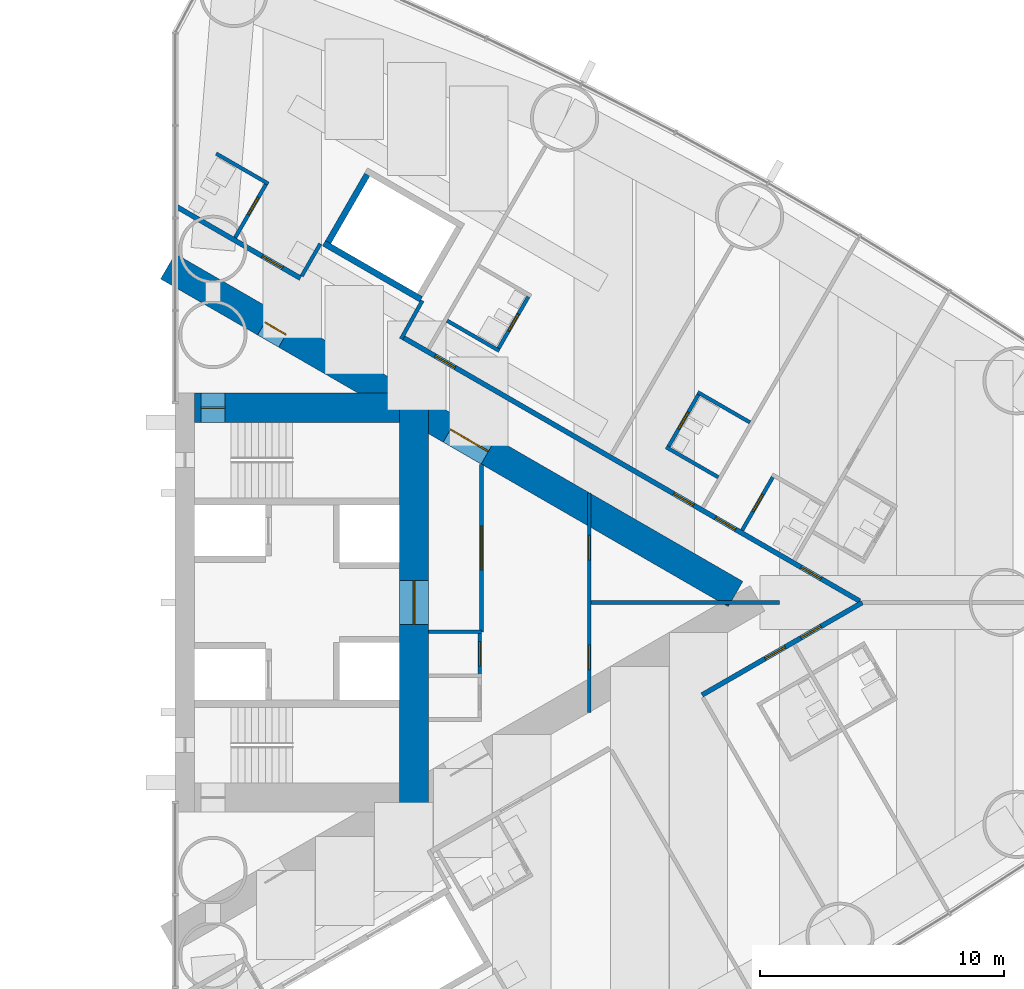
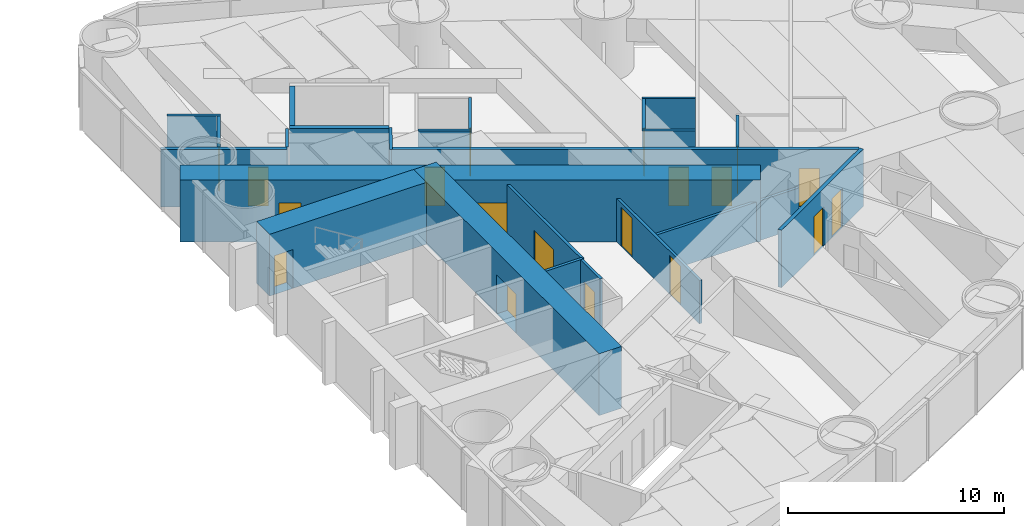
# One storey, part 15 of 19: 23 walls, 19 doors, 19 openings.
"""IFC4 building model written with IfcOpenShell, lengths in metres."""

from ifc_helpers import new_model, si_unit, direction, frame, frame_2d, origin, place, context, subcontext, project, spatial, rectangle, extrude, material, layer, layer_set, type_object, element, fill, save


model = new_model("IFC4")

# Units and contexts
model_context = context("Model", 3, precision=1e-05, world=origin(), true_north=direction((0.0, 1.0)))
body_context = subcontext(model_context, "Body", "Model", "MODEL_VIEW")
ifc_project = project(units=[si_unit("LENGTHUNIT", "METRE"), si_unit("AREAUNIT", "SQUARE_METRE"), si_unit("VOLUMEUNIT", "CUBIC_METRE"), si_unit("PLANEANGLEUNIT", "RADIAN"), si_unit("MASSUNIT", "GRAM", prefix="KILO")], contexts=[model_context])

# Site, building, storey
site_placement = place(None, origin())
site = spatial("IfcSite", under=ifc_project, at=site_placement, CompositionType="ELEMENT")
building_placement = place(site_placement, origin())
building = spatial("IfcBuilding", under=site, at=building_placement, Name="Lancet Gate Hotel", CompositionType="ELEMENT")
storey_placement = place(building_placement, frame((0.0, 0.0, 25.0)))
storey = spatial("IfcBuildingStorey", under=building, at=storey_placement, Name="L05", CompositionType="ELEMENT", Elevation=25.0)

# Wall, opening, door
ifc_material_1 = material(Name="Moisture resistant board partition")
ifc_layer_1 = layer(ifc_material_1, 0.14990234375)
ifc_layer_set_1 = layer_set([ifc_layer_1], Name="Bathroom wall 150")
wall_type_1 = type_object("IfcWallType", Name="Bathroom wall 150", PredefinedType="PARTITIONING", material=ifc_layer_set_1)
wall_1_placement = place(storey_placement, frame((50.771240234375, 2.96240234375, 0.0), z_axis=(0.0, 0.0, 1.0), x_axis=(0.500006934395, 0.866021400173, 0.0)))
wall_1 = element("IfcWall", 1, at=wall_1_placement, inside=storey, type_object=wall_type_1, Name="T2 bathroom wall 150 L05", PredefinedType="PARTITIONING", context=body_context, shape_type="SweptSolid", body=[
    extrude(rectangle(XDim=2.60009765625, YDim=0.14990234375, at=frame_2d((1.300048828125, 0.0))), origin(), (0.0, 0.0, 1.0), 3.25),
])
opening_1_placement = place(wall_1_placement, frame((0.89990234375, 0.0, 0.0)))
opening_1 = element("IfcOpeningElement", 2, at=opening_1_placement, cuts=wall_1, Name="Opening 0559-B", PredefinedType="OPENING", context=body_context, shape_type="SweptSolid", body=[
    extrude(rectangle(XDim=0.800048828125, YDim=2.199951171875, at=frame_2d((0.39990234375, 1.10009765625))), frame((0.0, 0.0849609375, 0.0), z_axis=(0.0, -1.0, 0.0), x_axis=(1.0, 0.0, 0.0)), (0.0, 0.0, 1.0), 0.169921875),
])
ifc_material_2 = material(Name="Timber door set", Category="wood")
door_type_1 = type_object("IfcDoorType", Name="Bathroom door 800", OperationType="SINGLE_SWING_RIGHT", PredefinedType="DOOR", material=ifc_material_2)
door_1_placement = place(opening_1_placement, origin())
door_1 = element("IfcDoor", 3, at=door_1_placement, inside=storey, type_object=door_type_1, Name="0559-B", OperationType="SINGLE_SWING_RIGHT", OverallHeight=2.199951171875, OverallWidth=0.800048828125, PredefinedType="DOOR", context=body_context, shape_type="SweptSolid", body=[
    extrude(rectangle(XDim=0.800048828125, YDim=2.199951171875, at=frame_2d((0.39990234375, 1.10009765625))), frame((0.0, 0.02490234375, 0.0), z_axis=(0.0, -1.0, 0.0), x_axis=(1.0, 0.0, 0.0)), (0.0, 0.0, 1.0), 0.050048828125),
])
fill(opening_1, door_1)

# Wall
wall_2_placement = place(storey_placement, frame((48.951171875, 8.632080078125, 0.0), z_axis=(0.0, 0.0, 1.0), x_axis=(0.866006523861, -0.500032699561, 0.0)))
element("IfcWall", 4, at=wall_2_placement, inside=storey, type_object=wall_type_1, Name="T2 bathroom wall 150 L05", PredefinedType="PARTITIONING", context=body_context, shape_type="SweptSolid", body=[
    extrude(rectangle(XDim=2.474853515625, YDim=0.14990234375, at=frame_2d((1.2373046875, 0.0))), origin(), (0.0, 0.0, 1.0), 3.25),
])

# Wall, opening, door
wall_3_placement = place(storey_placement, frame((47.716064453125, 6.3427734375, 0.0), z_axis=(0.0, 0.0, 1.0), x_axis=(0.500006934395, 0.866021400173, 0.0)))
wall_3 = element("IfcWall", 5, at=wall_3_placement, inside=storey, type_object=wall_type_1, Name="T2 bathroom wall 150 L05", PredefinedType="PARTITIONING", context=body_context, shape_type="SweptSolid", body=[
    extrude(rectangle(XDim=2.60009765625, YDim=0.14990234375, at=frame_2d((1.300048828125, 0.0))), origin(), (0.0, 0.0, 1.0), 3.25),
])
opening_2_placement = place(wall_3_placement, frame((0.89990234375, 0.0, 0.0)))
opening_2 = element("IfcOpeningElement", 6, at=opening_2_placement, cuts=wall_3, Name="Opening 0560-B", PredefinedType="OPENING", context=body_context, shape_type="SweptSolid", body=[
    extrude(rectangle(XDim=0.800048828125, YDim=2.199951171875, at=frame_2d((0.39990234375, 1.10009765625))), frame((0.0, 0.0849609375, 0.0), z_axis=(0.0, -1.0, 0.0), x_axis=(1.0, 0.0, 0.0)), (0.0, 0.0, 1.0), 0.169921875),
])
door_2_placement = place(opening_2_placement, origin())
door_2 = element("IfcDoor", 7, at=door_2_placement, inside=storey, type_object=door_type_1, Name="0560-B", OperationType="SINGLE_SWING_RIGHT", OverallHeight=2.199951171875, OverallWidth=0.800048828125, PredefinedType="DOOR", context=body_context, shape_type="SweptSolid", body=[
    extrude(rectangle(XDim=0.800048828125, YDim=2.199951171875, at=frame_2d((0.39990234375, 1.10009765625))), frame((0.0, 0.02490234375, 0.0), z_axis=(0.0, -1.0, 0.0), x_axis=(1.0, 0.0, 0.0)), (0.0, 0.0, 1.0), 0.050048828125),
])
fill(opening_2, door_2)

# Wall
wall_4_placement = place(storey_placement, frame((47.651123046875, 6.38037109375, 0.0), z_axis=(0.0, 0.0, 1.0), x_axis=(0.866031185235, -0.4999899861, 0.0)))
element("IfcWall", 8, at=wall_4_placement, inside=storey, type_object=wall_type_1, Name="T2 bathroom wall 150 L05", PredefinedType="PARTITIONING", context=body_context, shape_type="SweptSolid", body=[
    extrude(rectangle(XDim=2.47509765625, YDim=0.14990234375, at=frame_2d((1.237548828125, 0.0))), origin(), (0.0, 0.0, 1.0), 3.25),
])

# Wall, opening, door
wall_5_placement = place(storey_placement, frame((40.738525390625, 10.371337890625, 0.0), z_axis=(0.0, 0.0, 1.0), x_axis=(0.500006934395, 0.866021400173, 0.0)))
wall_5 = element("IfcWall", 9, at=wall_5_placement, inside=storey, type_object=wall_type_1, Name="T2 bathroom wall 150 L05", PredefinedType="PARTITIONING", context=body_context, shape_type="SweptSolid", body=[
    extrude(rectangle(XDim=2.60009765625, YDim=0.14990234375, at=frame_2d((1.300048828125, 0.0))), origin(), (0.0, 0.0, 1.0), 3.25),
])
opening_3_placement = place(wall_5_placement, frame((0.89990234375, 0.0, 0.0)))
opening_3 = element("IfcOpeningElement", 10, at=opening_3_placement, cuts=wall_5, Name="Opening 0561-B", PredefinedType="OPENING", context=body_context, shape_type="SweptSolid", body=[
    extrude(rectangle(XDim=0.800048828125, YDim=2.199951171875, at=frame_2d((0.39990234375, 1.10009765625))), frame((0.0, 0.0849609375, 0.0), z_axis=(0.0, -1.0, 0.0), x_axis=(1.0, 0.0, 0.0)), (0.0, 0.0, 1.0), 0.169921875),
])
door_3_placement = place(opening_3_placement, origin())
door_3 = element("IfcDoor", 11, at=door_3_placement, inside=storey, type_object=door_type_1, Name="0561-B", OperationType="SINGLE_SWING_RIGHT", OverallHeight=2.199951171875, OverallWidth=0.800048828125, PredefinedType="DOOR", context=body_context, shape_type="SweptSolid", body=[
    extrude(rectangle(XDim=0.800048828125, YDim=2.199951171875, at=frame_2d((0.39990234375, 1.10009765625))), frame((0.0, 0.02490234375, 0.0), z_axis=(0.0, -1.0, 0.0), x_axis=(1.0, 0.0, 0.0)), (0.0, 0.0, 1.0), 0.050048828125),
])
fill(opening_3, door_3)

# Walls
for number, where, z_axis, x_axis, name in (
    (12, (38.66015625, 11.5712890625, 0.0), (0.0, 0.0, 1.0), (0.866006523861, -0.500032699561, 0.0), "T2 bathroom wall 150 L05"),
    (13, (29.181884765625, 18.42919921875, 0.0), (0.0, 0.0, 1.0), (0.866006523861, -0.500032699561, 0.0), "T2 bathroom wall 150 L05"),
):
    element("IfcWall", number, at=place(storey_placement, frame(where, z_axis=z_axis, x_axis=x_axis)), inside=storey, type_object=wall_type_1, Name=name, PredefinedType="PARTITIONING", context=body_context, shape_type="SweptSolid", body=[
        extrude(rectangle(XDim=2.474853515625, YDim=0.14990234375, at=frame_2d((1.2373046875, 0.0))), origin(), (0.0, 0.0, 1.0), 3.25),
    ])

# Wall, opening, door
wall_6_placement = place(storey_placement, frame((29.960205078125, 14.9775390625, 0.0), z_axis=(0.0, 0.0, 1.0), x_axis=(0.500006934395, 0.866021400173, 0.0)))
wall_6 = element("IfcWall", 14, at=wall_6_placement, inside=storey, type_object=wall_type_1, Name="T2 bathroom wall 150 L05", PredefinedType="PARTITIONING", context=body_context, shape_type="SweptSolid", body=[
    extrude(rectangle(XDim=2.60009765625, YDim=0.14990234375, at=frame_2d((1.300048828125, 0.0))), origin(), (0.0, 0.0, 1.0), 3.25),
])
opening_4_placement = place(wall_6_placement, frame((1.10009765625, 0.0, 0.0)))
opening_4 = element("IfcOpeningElement", 15, at=opening_4_placement, cuts=wall_6, Name="Opening 0563-B", PredefinedType="OPENING", context=body_context, shape_type="SweptSolid", body=[
    extrude(rectangle(XDim=0.800048828125, YDim=2.199951171875, at=frame_2d((0.39990234375, 1.10009765625))), frame((0.0, 0.0849609375, 0.0), z_axis=(0.0, -1.0, 0.0), x_axis=(1.0, 0.0, 0.0)), (0.0, 0.0, 1.0), 0.169921875),
])
door_4_placement = place(opening_4_placement, origin())
door_4 = element("IfcDoor", 16, at=door_4_placement, inside=storey, type_object=door_type_1, Name="0563-B", OperationType="SINGLE_SWING_RIGHT", OverallHeight=2.199951171875, OverallWidth=0.800048828125, PredefinedType="DOOR", context=body_context, shape_type="SweptSolid", body=[
    extrude(rectangle(XDim=0.800048828125, YDim=2.199951171875, at=frame_2d((0.39990234375, 1.10009765625))), frame((0.0, 0.02490234375, 0.0), z_axis=(0.0, -1.0, 0.0), x_axis=(1.0, 0.0, 0.0)), (0.0, 0.0, 1.0), 0.050048828125),
])
fill(opening_4, door_4)

# Wall, openings, doors
ifc_material_3 = material(Name="Concrete C70/85", Category="concrete")
ifc_layer_2 = layer(ifc_material_3, 1.199951171875)
ifc_layer_set_2 = layer_set([ifc_layer_2], Name="Buttress wall 1200")
wall_type_2 = type_object("IfcWallType", Name="Buttress wall 1200", PredefinedType="SHEAR", material=ifc_layer_set_2)
wall_7_placement = place(storey_placement, frame((27.199951171875, 13.800048828125, 0.0), z_axis=(0.0, 0.0, 1.0), x_axis=(0.866024515034, -0.500001539357, 0.0)))
wall_7 = element("IfcWall", 17, at=wall_7_placement, inside=storey, type_object=wall_type_2, Name="T2 buttress wall N L05", PredefinedType="SHEAR", context=body_context, shape_type="SweptSolid", body=[
    extrude(rectangle(XDim=26.9072265625, YDim=1.199951171875, at=frame_2d((13.45361328125, 0.0))), origin(), (0.0, 0.0, 1.0), 3.5),
])
opening_5_placement = place(wall_7_placement, frame((4.60009765625, 0.0, 0.0)))
opening_5 = element("IfcOpeningElement", 18, at=opening_5_placement, cuts=wall_7, Name="Opening T2-L05-LN", PredefinedType="OPENING", context=body_context, shape_type="SweptSolid", body=[
    extrude(rectangle(XDim=1.0, YDim=2.199951171875, at=frame_2d((0.5, 1.10009765625))), frame((0.0, 0.60986328125, 0.0), z_axis=(0.0, -1.0, 0.0), x_axis=(1.0, 0.0, 0.0)), (0.0, 0.0, 1.0), 1.219970703125),
])
opening_6_placement = place(wall_7_placement, frame((13.39453125, 0.0, 0.0)))
opening_6 = element("IfcOpeningElement", 19, at=opening_6_placement, cuts=wall_7, Name="Opening T2-L05-LHN", PredefinedType="OPENING", context=body_context, shape_type="SweptSolid", body=[
    extrude(rectangle(XDim=1.800048828125, YDim=2.199951171875, at=frame_2d((0.89990234375, 1.10009765625))), frame((0.0, 0.60986328125, 0.0), z_axis=(0.0, -1.0, 0.0), x_axis=(1.0, 0.0, 0.0)), (0.0, 0.0, 1.0), 1.219970703125),
])
ifc_material_4 = material(Name="Timber door set", Category="wood")
door_type_2 = type_object("IfcDoorType", Name="Lobby double door 1800", OperationType="DOUBLE_DOOR_SINGLE_SWING", PredefinedType="DOOR", material=ifc_material_4)
door_5_placement = place(opening_6_placement, origin())
door_5 = element("IfcDoor", 20, at=door_5_placement, inside=storey, type_object=door_type_2, Name="T2-L05-LHN", OperationType="DOUBLE_DOOR_SINGLE_SWING", OverallHeight=2.199951171875, OverallWidth=1.800048828125, PredefinedType="DOOR", context=body_context, shape_type="SweptSolid", body=[
    extrude(rectangle(XDim=1.800048828125, YDim=2.199951171875, at=frame_2d((0.89990234375, 1.10009765625))), frame((0.0, 0.02490234375, 0.0), z_axis=(0.0, -1.0, 0.0), x_axis=(1.0, 0.0, 0.0)), (0.0, 0.0, 1.0), 0.050048828125),
])
fill(opening_6, door_5)
ifc_material_5 = material(Name="Timber door set", Category="wood")
door_type_3 = type_object("IfcDoorType", Name="Stair lobby door 1000", OperationType="SINGLE_SWING_LEFT", PredefinedType="DOOR", material=ifc_material_5)
door_6_placement = place(opening_5_placement, origin())
door_6 = element("IfcDoor", 21, at=door_6_placement, inside=storey, type_object=door_type_3, Name="T2-L05-LN", OperationType="SINGLE_SWING_LEFT", OverallHeight=2.199951171875, OverallWidth=1.0, PredefinedType="DOOR", context=body_context, shape_type="SweptSolid", body=[
    extrude(rectangle(XDim=1.0, YDim=2.199951171875, at=frame_2d((0.5, 1.10009765625))), frame((0.0, 0.02490234375, 0.0), z_axis=(0.0, -1.0, 0.0), x_axis=(1.0, 0.0, 0.0)), (0.0, 0.0, 1.0), 0.050048828125),
])
fill(opening_5, door_6)

# Wall, opening, door
ifc_material_6 = material(Name="Concrete C70/85", Category="concrete")
ifc_layer_3 = layer(ifc_material_6, 1.199951171875)
ifc_layer_set_3 = layer_set([ifc_layer_3], Name="Core wall 1200")
wall_type_3 = type_object("IfcWallType", Name="Core wall 1200", PredefinedType="SHEAR", material=ifc_layer_set_3)
wall_8_placement = place(storey_placement, frame((37.300048828125, -8.60009765625, 0.0), z_axis=(0.0, 0.0, 1.0), x_axis=(0.0, 1.0, 0.0)))
wall_8 = element("IfcWall", 22, at=wall_8_placement, inside=storey, type_object=wall_type_3, Name="T2 core wall back L05", PredefinedType="SHEAR", context=body_context, shape_type="SweptSolid", body=[
    extrude(rectangle(XDim=17.2001953125, YDim=1.199951171875, at=frame_2d((8.60009765625, 0.0))), origin(), (0.0, 0.0, 1.0), 3.5),
])
opening_7_placement = place(wall_8_placement, frame((7.699951171875, 0.0, 0.0)))
opening_7 = element("IfcOpeningElement", 23, at=opening_7_placement, cuts=wall_8, Name="Opening T2-L05-LL", PredefinedType="OPENING", context=body_context, shape_type="SweptSolid", body=[
    extrude(rectangle(XDim=1.800048828125, YDim=2.199951171875, at=frame_2d((0.89990234375, 1.10009765625))), frame((0.0, 0.60986328125, 0.0), z_axis=(0.0, -1.0, 0.0), x_axis=(1.0, 0.0, 0.0)), (0.0, 0.0, 1.0), 1.219970703125),
])
door_7_placement = place(opening_7_placement, origin())
door_7 = element("IfcDoor", 24, at=door_7_placement, inside=storey, type_object=door_type_2, Name="T2-L05-LL", OperationType="DOUBLE_DOOR_SINGLE_SWING", OverallHeight=2.199951171875, OverallWidth=1.800048828125, PredefinedType="DOOR", context=body_context, shape_type="SweptSolid", body=[
    extrude(rectangle(XDim=1.800048828125, YDim=2.199951171875, at=frame_2d((0.89990234375, 1.10009765625))), frame((0.0, 0.02490234375, 0.0), z_axis=(0.0, -1.0, 0.0), x_axis=(1.0, 0.0, 0.0)), (0.0, 0.0, 1.0), 0.050048828125),
])
fill(opening_7, door_7)

wall_9_placement = place(storey_placement, frame((28.300048828125, 8.0, 0.0), z_axis=(0.0, 0.0, 1.0), x_axis=(1.0, 0.0, 0.0)))
wall_9 = element("IfcWall", 25, at=wall_9_placement, inside=storey, type_object=wall_type_3, Name="T2 core wall side-N L05", PredefinedType="SHEAR", context=body_context, shape_type="SweptSolid", body=[
    extrude(rectangle(XDim=8.39990234375, YDim=1.199951171875, at=frame_2d((4.199951171875, 0.0))), origin(), (0.0, 0.0, 1.0), 3.5),
])
opening_8_placement = place(wall_9_placement, frame((0.25, 0.0, 0.0)))
opening_8 = element("IfcOpeningElement", 26, at=opening_8_placement, cuts=wall_9, Name="Opening T2-L05-ST2", PredefinedType="OPENING", context=body_context, shape_type="SweptSolid", body=[
    extrude(rectangle(XDim=1.0, YDim=2.199951171875, at=frame_2d((0.5, 1.10009765625))), frame((0.0, 0.60986328125, 0.0), z_axis=(0.0, -1.0, 0.0), x_axis=(1.0, 0.0, 0.0)), (0.0, 0.0, 1.0), 1.219970703125),
])
ifc_material_7 = material(Name="Timber door set", Category="wood")
door_type_4 = type_object("IfcDoorType", Name="Stair door 1000", OperationType="SINGLE_SWING_RIGHT", PredefinedType="DOOR", material=ifc_material_7)
door_8_placement = place(opening_8_placement, origin())
door_8 = element("IfcDoor", 27, at=door_8_placement, inside=storey, type_object=door_type_4, Name="T2-L05-ST2", OperationType="SINGLE_SWING_RIGHT", OverallHeight=2.199951171875, OverallWidth=1.0, PredefinedType="DOOR", context=body_context, shape_type="SweptSolid", body=[
    extrude(rectangle(XDim=1.0, YDim=2.199951171875, at=frame_2d((0.5, 1.10009765625))), frame((0.0, 0.02490234375, 0.0), z_axis=(0.0, -1.0, 0.0), x_axis=(1.0, 0.0, 0.0)), (0.0, 0.0, 1.0), 0.050048828125),
])
fill(opening_8, door_8)

ifc_material_8 = material(Name="Gypsum board partition")
ifc_layer_4 = layer(ifc_material_8, 0.199951171875)
ifc_layer_set_4 = layer_set([ifc_layer_4], Name="Corridor wall 200")
wall_type_4 = type_object("IfcWallType", Name="Corridor wall 200", PredefinedType="PARTITIONING", material=ifc_layer_set_4)
wall_10_placement = place(storey_placement, frame((27.572021484375, 16.240966796875, 0.0), z_axis=(0.0, 0.0, 1.0), x_axis=(0.866032814021, -0.499987164874, 0.0)))
wall_10 = element("IfcWall", 28, at=wall_10_placement, inside=storey, type_object=wall_type_4, Name="T2 corridor wall 200 L05", PredefinedType="PARTITIONING", context=body_context, shape_type="SweptSolid", body=[
    extrude(rectangle(XDim=5.854736328125, YDim=0.199951171875, at=frame_2d((2.92724609375, 0.0))), origin(), (0.0, 0.0, 1.0), 3.25),
])
opening_9_placement = place(wall_10_placement, frame((4.050048828125, 0.0, 0.0)))
opening_9 = element("IfcOpeningElement", 29, at=opening_9_placement, cuts=wall_10, Name="Opening 0563-E", PredefinedType="OPENING", context=body_context, shape_type="SweptSolid", body=[
    extrude(rectangle(XDim=0.949951171875, YDim=2.199951171875, at=frame_2d((0.47509765625, 1.10009765625))), frame((0.0, 0.10986328125, 0.0), z_axis=(0.0, -1.0, 0.0), x_axis=(1.0, 0.0, 0.0)), (0.0, 0.0, 1.0), 0.219970703125),
])
ifc_material_9 = material(Name="Timber door set", Category="wood")
door_type_5 = type_object("IfcDoorType", Name="Guest room entry door 950", OperationType="SINGLE_SWING_LEFT", PredefinedType="DOOR", material=ifc_material_9)
door_9_placement = place(opening_9_placement, origin())
door_9 = element("IfcDoor", 30, at=door_9_placement, inside=storey, type_object=door_type_5, Name="0563-E", OperationType="SINGLE_SWING_LEFT", OverallHeight=2.199951171875, OverallWidth=0.949951171875, PredefinedType="DOOR", context=body_context, shape_type="SweptSolid", body=[
    extrude(rectangle(XDim=0.949951171875, YDim=2.199951171875, at=frame_2d((0.47509765625, 1.10009765625))), frame((0.0, 0.02490234375, 0.0), z_axis=(0.0, -1.0, 0.0), x_axis=(1.0, 0.0, 0.0)), (0.0, 0.0, 1.0), 0.050048828125),
])
fill(opening_9, door_9)

# Wall, openings, doors
wall_11_placement = place(storey_placement, frame((36.833984375, 10.8935546875, 0.0), z_axis=(0.0, 0.0, 1.0), x_axis=(0.866028157229, -0.499995230863, 0.0)))
wall_11 = element("IfcWall", 31, at=wall_11_placement, inside=storey, type_object=wall_type_4, Name="T2 corridor wall 200 L05", PredefinedType="PARTITIONING", context=body_context, shape_type="SweptSolid", body=[
    extrude(rectangle(XDim=21.667236328125, YDim=0.199951171875, at=frame_2d((10.83349609375, 0.0))), origin(), (0.0, 0.0, 1.0), 3.25),
])
opening_10_placement = place(wall_11_placement, frame((18.885498046875, 0.0, 0.0)))
opening_10 = element("IfcOpeningElement", 32, at=opening_10_placement, cuts=wall_11, Name="Opening 0558-E", PredefinedType="OPENING", context=body_context, shape_type="SweptSolid", body=[
    extrude(rectangle(XDim=0.949951171875, YDim=2.199951171875, at=frame_2d((0.47509765625, 1.10009765625))), frame((0.0, 0.10986328125, 0.0), z_axis=(0.0, -1.0, 0.0), x_axis=(1.0, 0.0, 0.0)), (0.0, 0.0, 1.0), 0.219970703125),
])
opening_11_placement = place(wall_11_placement, frame((14.83544921875, 0.0, 0.0)))
opening_11 = element("IfcOpeningElement", 33, at=opening_11_placement, cuts=wall_11, Name="Opening 0559-E", PredefinedType="OPENING", context=body_context, shape_type="SweptSolid", body=[
    extrude(rectangle(XDim=0.949951171875, YDim=2.199951171875, at=frame_2d((0.47509765625, 1.10009765625))), frame((0.0, 0.10986328125, 0.0), z_axis=(0.0, -1.0, 0.0), x_axis=(1.0, 0.0, 0.0)), (0.0, 0.0, 1.0), 0.219970703125),
])
opening_12_placement = place(wall_11_placement, frame((12.849609375, 0.0, 0.0)))
opening_12 = element("IfcOpeningElement", 34, at=opening_12_placement, cuts=wall_11, Name="Opening 0560-E", PredefinedType="OPENING", context=body_context, shape_type="SweptSolid", body=[
    extrude(rectangle(XDim=0.949951171875, YDim=2.199951171875, at=frame_2d((0.47509765625, 1.10009765625))), frame((0.0, 0.10986328125, 0.0), z_axis=(0.0, -1.0, 0.0), x_axis=(1.0, 0.0, 0.0)), (0.0, 0.0, 1.0), 0.219970703125),
])
opening_13_placement = place(wall_11_placement, frame((1.54248046875, 0.0, 0.0)))
opening_13 = element("IfcOpeningElement", 35, at=opening_13_placement, cuts=wall_11, Name="Opening 0561-E", PredefinedType="OPENING", context=body_context, shape_type="SweptSolid", body=[
    extrude(rectangle(XDim=0.949951171875, YDim=2.199951171875, at=frame_2d((0.47509765625, 1.10009765625))), frame((0.0, 0.10986328125, 0.0), z_axis=(0.0, -1.0, 0.0), x_axis=(1.0, 0.0, 0.0)), (0.0, 0.0, 1.0), 0.219970703125),
])
door_10_placement = place(opening_10_placement, origin())
door_10 = element("IfcDoor", 36, at=door_10_placement, inside=storey, type_object=door_type_5, Name="0558-E", OperationType="SINGLE_SWING_LEFT", OverallHeight=2.199951171875, OverallWidth=0.949951171875, PredefinedType="DOOR", context=body_context, shape_type="SweptSolid", body=[
    extrude(rectangle(XDim=0.949951171875, YDim=2.199951171875, at=frame_2d((0.47509765625, 1.10009765625))), frame((0.0, 0.02490234375, 0.0), z_axis=(0.0, -1.0, 0.0), x_axis=(1.0, 0.0, 0.0)), (0.0, 0.0, 1.0), 0.050048828125),
])
fill(opening_10, door_10)
door_11_placement = place(opening_11_placement, origin())
door_11 = element("IfcDoor", 37, at=door_11_placement, inside=storey, type_object=door_type_5, Name="0559-E", OperationType="SINGLE_SWING_LEFT", OverallHeight=2.199951171875, OverallWidth=0.949951171875, PredefinedType="DOOR", context=body_context, shape_type="SweptSolid", body=[
    extrude(rectangle(XDim=0.949951171875, YDim=2.199951171875, at=frame_2d((0.47509765625, 1.10009765625))), frame((0.0, 0.02490234375, 0.0), z_axis=(0.0, -1.0, 0.0), x_axis=(1.0, 0.0, 0.0)), (0.0, 0.0, 1.0), 0.050048828125),
])
fill(opening_11, door_11)
door_12_placement = place(opening_12_placement, origin())
door_12 = element("IfcDoor", 38, at=door_12_placement, inside=storey, type_object=door_type_5, Name="0560-E", OperationType="SINGLE_SWING_LEFT", OverallHeight=2.199951171875, OverallWidth=0.949951171875, PredefinedType="DOOR", context=body_context, shape_type="SweptSolid", body=[
    extrude(rectangle(XDim=0.949951171875, YDim=2.199951171875, at=frame_2d((0.47509765625, 1.10009765625))), frame((0.0, 0.02490234375, 0.0), z_axis=(0.0, -1.0, 0.0), x_axis=(1.0, 0.0, 0.0)), (0.0, 0.0, 1.0), 0.050048828125),
])
fill(opening_12, door_12)
door_13_placement = place(opening_13_placement, origin())
door_13 = element("IfcDoor", 39, at=door_13_placement, inside=storey, type_object=door_type_5, Name="0561-E", OperationType="SINGLE_SWING_LEFT", OverallHeight=2.199951171875, OverallWidth=0.949951171875, PredefinedType="DOOR", context=body_context, shape_type="SweptSolid", body=[
    extrude(rectangle(XDim=0.949951171875, YDim=2.199951171875, at=frame_2d((0.47509765625, 1.10009765625))), frame((0.0, 0.02490234375, 0.0), z_axis=(0.0, -1.0, 0.0), x_axis=(1.0, 0.0, 0.0)), (0.0, 0.0, 1.0), 0.050048828125),
])
fill(opening_13, door_13)

wall_12_placement = place(storey_placement, frame((49.131103515625, -3.793701171875, 0.0), z_axis=(0.0, 0.0, 1.0), x_axis=(0.866030732979, 0.499990769451, 0.0)))
wall_12 = element("IfcWall", 40, at=wall_12_placement, inside=storey, type_object=wall_type_4, Name="T2 corridor wall 200 L05", PredefinedType="PARTITIONING", context=body_context, shape_type="SweptSolid", body=[
    extrude(rectangle(XDim=7.587646484375, YDim=0.199951171875, at=frame_2d((3.7939453125, 0.0))), origin(), (0.0, 0.0, 1.0), 3.25),
])
opening_14_placement = place(wall_12_placement, frame((2.986083984375, 0.0, 0.0)))
opening_14 = element("IfcOpeningElement", 41, at=opening_14_placement, cuts=wall_12, Name="Opening 0556-E", PredefinedType="OPENING", context=body_context, shape_type="SweptSolid", body=[
    extrude(rectangle(XDim=0.949951171875, YDim=2.199951171875, at=frame_2d((0.47509765625, 1.10009765625))), frame((0.0, 0.10986328125, 0.0), z_axis=(0.0, -1.0, 0.0), x_axis=(1.0, 0.0, 0.0)), (0.0, 0.0, 1.0), 0.219970703125),
])
opening_15_placement = place(wall_12_placement, frame((4.68603515625, 0.0, 0.0)))
opening_15 = element("IfcOpeningElement", 42, at=opening_15_placement, cuts=wall_12, Name="Opening 0557-E", PredefinedType="OPENING", context=body_context, shape_type="SweptSolid", body=[
    extrude(rectangle(XDim=0.949951171875, YDim=2.199951171875, at=frame_2d((0.47509765625, 1.10009765625))), frame((0.0, 0.10986328125, 0.0), z_axis=(0.0, -1.0, 0.0), x_axis=(1.0, 0.0, 0.0)), (0.0, 0.0, 1.0), 0.219970703125),
])
door_14_placement = place(opening_14_placement, origin())
door_14 = element("IfcDoor", 43, at=door_14_placement, inside=storey, type_object=door_type_5, Name="0556-E", OperationType="SINGLE_SWING_LEFT", OverallHeight=2.199951171875, OverallWidth=0.949951171875, PredefinedType="DOOR", context=body_context, shape_type="SweptSolid", body=[
    extrude(rectangle(XDim=0.949951171875, YDim=2.199951171875, at=frame_2d((0.47509765625, 1.10009765625))), frame((0.0, 0.02490234375, 0.0), z_axis=(0.0, -1.0, 0.0), x_axis=(1.0, 0.0, 0.0)), (0.0, 0.0, 1.0), 0.050048828125),
])
fill(opening_14, door_14)
door_15_placement = place(opening_15_placement, origin())
door_15 = element("IfcDoor", 44, at=door_15_placement, inside=storey, type_object=door_type_5, Name="0557-E", OperationType="SINGLE_SWING_LEFT", OverallHeight=2.199951171875, OverallWidth=0.949951171875, PredefinedType="DOOR", context=body_context, shape_type="SweptSolid", body=[
    extrude(rectangle(XDim=0.949951171875, YDim=2.199951171875, at=frame_2d((0.47509765625, 1.10009765625))), frame((0.0, 0.02490234375, 0.0), z_axis=(0.0, -1.0, 0.0), x_axis=(1.0, 0.0, 0.0)), (0.0, 0.0, 1.0), 0.050048828125),
])
fill(opening_15, door_15)

# Walls
ifc_material_10 = material(Name="Gypsum board partition")
ifc_layer_5 = layer(ifc_material_10, 0.25)
ifc_layer_set_5 = layer_set([ifc_layer_5], Name="Lift shaft partition 250")
wall_type_5 = type_object("IfcWallType", Name="Lift shaft partition 250", PredefinedType="PARTITIONING", material=ifc_layer_set_5)
wall_13_placement = place(storey_placement, frame((33.6083984375, 14.747314453125, 0.0), z_axis=(0.0, 0.0, 1.0), x_axis=(0.866043305498, -0.49996899204, 0.0)))
element("IfcWall", 45, at=wall_13_placement, inside=storey, type_object=wall_type_5, Name="T2 lift shaft wall EX L05", PredefinedType="PARTITIONING", context=body_context, shape_type="SweptSolid", body=[
    extrude(rectangle(XDim=4.600341796875, YDim=0.25, at=frame_2d((2.30029296875, 0.0))), origin(), (0.0, 0.0, 1.0), 3.25),
])
wall_14_placement = place(storey_placement, frame((33.779296875, 14.79296875, 0.0), z_axis=(0.0, 0.0, 1.0), x_axis=(0.499929347863, 0.866066190972, 0.0)))
element("IfcWall", 46, at=wall_14_placement, inside=storey, type_object=wall_type_5, Name="T2 lift shaft wall EX L05", PredefinedType="PARTITIONING", context=body_context, shape_type="SweptSolid", body=[
    extrude(rectangle(XDim=3.20068359375, YDim=0.25, at=frame_2d((1.600341796875, 0.0))), origin(), (0.0, 0.0, 1.0), 3.25),
])
ifc_material_11 = material(Name="Gypsum board partition")
ifc_layer_6 = layer(ifc_material_11, 0.14990234375)
ifc_layer_set_6 = layer_set([ifc_layer_6], Name="Service room wall 150")
wall_type_6 = type_object("IfcWallType", Name="Service room wall 150", PredefinedType="PARTITIONING", material=ifc_layer_set_6)
wall_15_placement = place(storey_placement, frame((36.77099609375, 10.814453125, 0.0), z_axis=(0.0, 0.0, 1.0), x_axis=(0.485585508183, 0.874189175317, 0.0)))
element("IfcWall", 47, at=wall_15_placement, inside=storey, type_object=wall_type_6, Name="T2 service room wall 150 L05", PredefinedType="PARTITIONING", context=body_context, shape_type="SweptSolid", body=[
    extrude(rectangle(XDim=1.804931640625, YDim=0.14990234375, at=frame_2d((0.90234375, 0.0))), origin(), (0.0, 0.0, 1.0), 3.25),
])
wall_16_placement = place(storey_placement, frame((32.6923828125, 13.400390625, 0.0), z_axis=(0.0, 0.0, 1.0), x_axis=(0.499985008713, 0.866034058835, 0.0)))
element("IfcWall", 48, at=wall_16_placement, inside=storey, type_object=wall_type_6, Name="T2 service room wall 150 L05", PredefinedType="PARTITIONING", context=body_context, shape_type="SweptSolid", body=[
    extrude(rectangle(XDim=1.529296875, YDim=0.14990234375, at=frame_2d((0.7646484375, 0.0))), origin(), (0.0, 0.0, 1.0), 3.25),
])
wall_17_placement = place(storey_placement, frame((37.89990234375, -1.199951171875, 0.0), z_axis=(0.0, 0.0, 1.0), x_axis=(1.0, 0.0, 0.0)))
element("IfcWall", 49, at=wall_17_placement, inside=storey, type_object=wall_type_6, Name="T2 service room wall 150 L05", PredefinedType="PARTITIONING", context=body_context, shape_type="SweptSolid", body=[
    extrude(rectangle(XDim=2.175048828125, YDim=0.14990234375, at=frame_2d((1.08740234375, 0.0))), origin(), (0.0, 0.0, 1.0), 3.25),
])

# Wall, opening, door
wall_18_placement = place(storey_placement, frame((40.0, -3.074951171875, 0.0), z_axis=(0.0, 0.0, 1.0), x_axis=(0.0, 1.0, 0.0)))
wall_18 = element("IfcWall", 50, at=wall_18_placement, inside=storey, type_object=wall_type_6, Name="T2 service room wall 150 L05", PredefinedType="PARTITIONING", context=body_context, shape_type="SweptSolid", body=[
    extrude(rectangle(XDim=1.949951171875, YDim=0.14990234375, at=frame_2d((0.97509765625, 0.0))), origin(), (0.0, 0.0, 1.0), 3.25),
])
opening_16_placement = place(wall_18_placement, frame((0.47509765625, 0.0, 0.0)))
opening_16 = element("IfcOpeningElement", 51, at=opening_16_placement, cuts=wall_18, Name="Opening T2-L05-HRS0", PredefinedType="OPENING", context=body_context, shape_type="SweptSolid", body=[
    extrude(rectangle(XDim=1.0, YDim=2.199951171875, at=frame_2d((0.5, 1.10009765625))), frame((0.0, 0.0849609375, 0.0), z_axis=(0.0, -1.0, 0.0), x_axis=(1.0, 0.0, 0.0)), (0.0, 0.0, 1.0), 0.169921875),
])
ifc_material_12 = material(Name="Timber door set", Category="wood")
door_type_6 = type_object("IfcDoorType", Name="Service door 1000", OperationType="SINGLE_SWING_LEFT", PredefinedType="DOOR", material=ifc_material_12)
door_16_placement = place(opening_16_placement, origin())
door_16 = element("IfcDoor", 52, at=door_16_placement, inside=storey, type_object=door_type_6, Name="T2-L05-HRS0", OperationType="SINGLE_SWING_LEFT", OverallHeight=2.199951171875, OverallWidth=1.0, PredefinedType="DOOR", context=body_context, shape_type="SweptSolid", body=[
    extrude(rectangle(XDim=1.0, YDim=2.199951171875, at=frame_2d((0.5, 1.10009765625))), frame((0.0, 0.02490234375, 0.0), z_axis=(0.0, -1.0, 0.0), x_axis=(1.0, 0.0, 0.0)), (0.0, 0.0, 1.0), 0.050048828125),
])
fill(opening_16, door_16)

wall_19_placement = place(storey_placement, frame((40.074951171875, -1.199951171875, 0.0), z_axis=(0.0, 0.0, 1.0), x_axis=(0.0, 1.0, 0.0)))
wall_19 = element("IfcWall", 53, at=wall_19_placement, inside=storey, type_object=wall_type_6, Name="T2 service room wall 150 L05", PredefinedType="PARTITIONING", context=body_context, shape_type="SweptSolid", body=[
    extrude(rectangle(XDim=6.873779296875, YDim=0.14990234375, at=frame_2d((3.43701171875, 0.0))), origin(), (0.0, 0.0, 1.0), 3.25),
])
opening_17_placement = place(wall_19_placement, frame((2.536865234375, 0.0, 0.0)))
opening_17 = element("IfcOpeningElement", 54, at=opening_17_placement, cuts=wall_19, Name="Opening T2-L05-LH", PredefinedType="OPENING", context=body_context, shape_type="SweptSolid", body=[
    extrude(rectangle(XDim=1.800048828125, YDim=2.199951171875, at=frame_2d((0.89990234375, 1.10009765625))), frame((0.0, 0.0849609375, 0.0), z_axis=(0.0, -1.0, 0.0), x_axis=(1.0, 0.0, 0.0)), (0.0, 0.0, 1.0), 0.169921875),
])
door_17_placement = place(opening_17_placement, origin())
door_17 = element("IfcDoor", 55, at=door_17_placement, inside=storey, type_object=door_type_2, Name="T2-L05-LH", OperationType="DOUBLE_DOOR_SINGLE_SWING", OverallHeight=2.199951171875, OverallWidth=1.800048828125, PredefinedType="DOOR", context=body_context, shape_type="SweptSolid", body=[
    extrude(rectangle(XDim=1.800048828125, YDim=2.199951171875, at=frame_2d((0.89990234375, 1.10009765625))), frame((0.0, 0.02490234375, 0.0), z_axis=(0.0, -1.0, 0.0), x_axis=(1.0, 0.0, 0.0)), (0.0, 0.0, 1.0), 0.050048828125),
])
fill(opening_17, door_17)

# Wall, openings, doors
wall_20_placement = place(storey_placement, frame((44.5, -4.504638671875, 0.0), z_axis=(0.0, 0.0, 1.0), x_axis=(0.0, 1.0, 0.0)))
wall_20 = element("IfcWall", 56, at=wall_20_placement, inside=storey, type_object=wall_type_6, Name="T2 service room wall 150 L05", PredefinedType="PARTITIONING", context=body_context, shape_type="SweptSolid", body=[
    extrude(rectangle(XDim=9.00927734375, YDim=0.14990234375, at=frame_2d((4.504638671875, 0.0))), origin(), (0.0, 0.0, 1.0), 2.449951171875),
])
opening_18_placement = place(wall_20_placement, frame((1.752197265625, 0.0, 0.0)))
opening_18 = element("IfcOpeningElement", 57, at=opening_18_placement, cuts=wall_20, Name="Opening T2-L05-SV", PredefinedType="OPENING", context=body_context, shape_type="SweptSolid", body=[
    extrude(rectangle(XDim=1.0, YDim=2.199951171875, at=frame_2d((0.5, 1.10009765625))), frame((0.0, 0.0849609375, 0.0), z_axis=(0.0, -1.0, 0.0), x_axis=(1.0, 0.0, 0.0)), (0.0, 0.0, 1.0), 0.169921875),
])
opening_19_placement = place(wall_20_placement, frame((6.2568359375, 0.0, 0.0)))
opening_19 = element("IfcOpeningElement", 58, at=opening_19_placement, cuts=wall_20, Name="Opening T2-L05-SV2", PredefinedType="OPENING", context=body_context, shape_type="SweptSolid", body=[
    extrude(rectangle(XDim=1.0, YDim=2.199951171875, at=frame_2d((0.5, 1.10009765625))), frame((0.0, 0.0849609375, 0.0), z_axis=(0.0, -1.0, 0.0), x_axis=(1.0, 0.0, 0.0)), (0.0, 0.0, 1.0), 0.169921875),
])
door_18_placement = place(opening_18_placement, origin())
door_18 = element("IfcDoor", 59, at=door_18_placement, inside=storey, type_object=door_type_6, Name="T2-L05-SV", OperationType="SINGLE_SWING_LEFT", OverallHeight=2.199951171875, OverallWidth=1.0, PredefinedType="DOOR", context=body_context, shape_type="SweptSolid", body=[
    extrude(rectangle(XDim=1.0, YDim=2.199951171875, at=frame_2d((0.5, 1.10009765625))), frame((0.0, 0.02490234375, 0.0), z_axis=(0.0, -1.0, 0.0), x_axis=(1.0, 0.0, 0.0)), (0.0, 0.0, 1.0), 0.050048828125),
])
fill(opening_18, door_18)
door_19_placement = place(opening_19_placement, origin())
door_19 = element("IfcDoor", 60, at=door_19_placement, inside=storey, type_object=door_type_6, Name="T2-L05-SV2", OperationType="SINGLE_SWING_LEFT", OverallHeight=2.199951171875, OverallWidth=1.0, PredefinedType="DOOR", context=body_context, shape_type="SweptSolid", body=[
    extrude(rectangle(XDim=1.0, YDim=2.199951171875, at=frame_2d((0.5, 1.10009765625))), frame((0.0, 0.02490234375, 0.0), z_axis=(0.0, -1.0, 0.0), x_axis=(1.0, 0.0, 0.0)), (0.0, 0.0, 1.0), 0.050048828125),
])
fill(opening_19, door_19)

# Wall
wall_21_placement = place(storey_placement, frame((44.574951171875, 0.0, 0.0), z_axis=(0.0, 0.0, 1.0), x_axis=(1.0, 0.0, 0.0)))
element("IfcWall", 61, at=wall_21_placement, inside=storey, type_object=wall_type_6, Name="T2 service room wall 150 L05", PredefinedType="PARTITIONING", context=body_context, shape_type="SweptSolid", body=[
    extrude(rectangle(XDim=7.727294921875, YDim=0.14990234375, at=frame_2d((3.86376953125, 0.0))), origin(), (0.0, 0.0, 1.0), 2.25),
])

save(model, "model.ifc")
